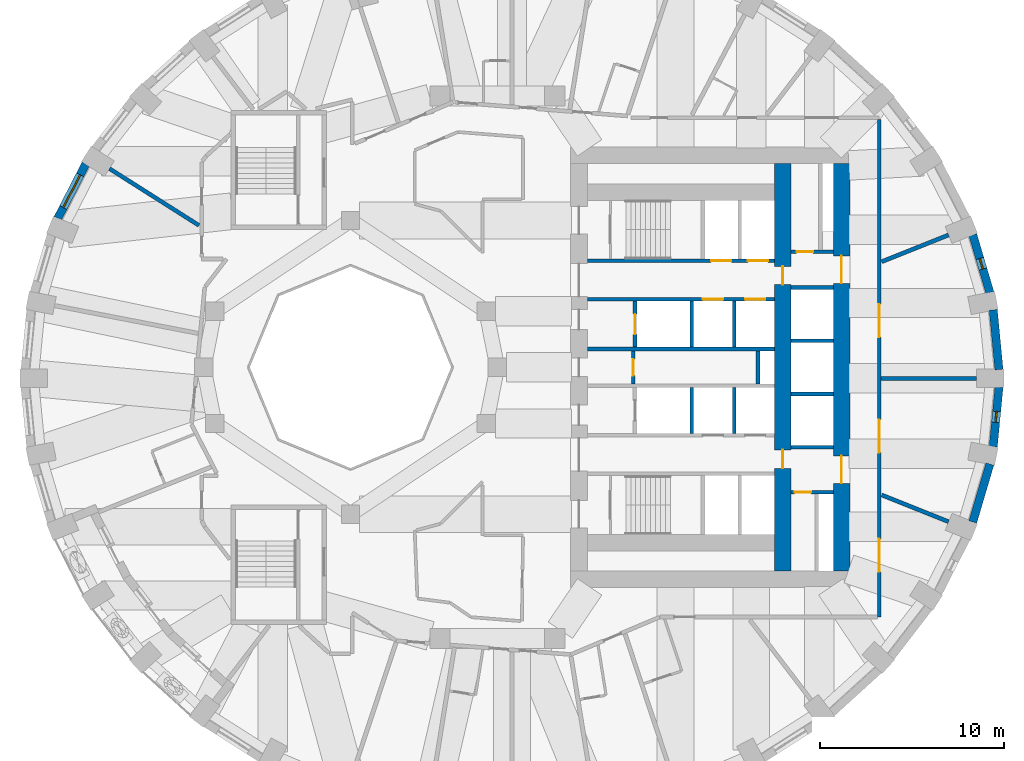
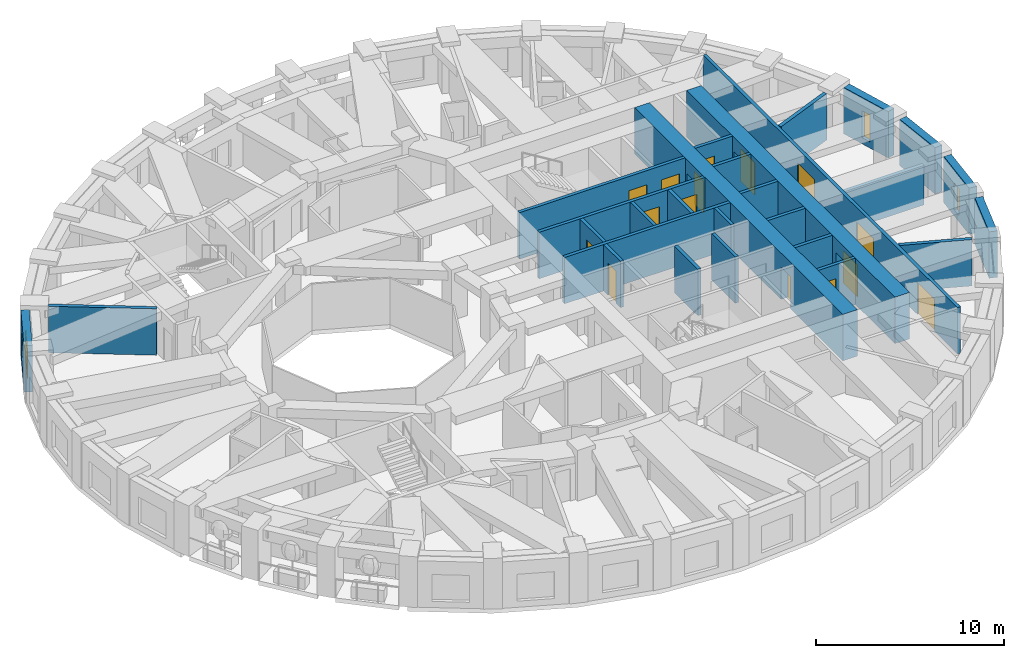
# One storey, part 6 of 12: 28 walls, 15 doors, 3 windows, 18 openings.
"""IFC4 building model written with IfcOpenShell, lengths in metres."""

import ifcopenshell
import ifcopenshell.guid

model = None  # the IFC model being written
_history = None  # IfcOwnerHistory: only IFC2X3 demands one
_inside = {}  # id of a spatial element -> (the spatial element, [elements in it])
_under = {}  # id of a project, library or spatial element -> (it, [spatial elements below it])
_declared = {}  # id of a project -> (the project, [libraries it declares])
_typed = {}  # id of a type object -> (the type object, [elements of that type])
_made_of = {}  # id of a material, layer set ... -> (it, [elements and type objects made of it])


def new_model(schema):
    """Start an empty IFC model of exactly this schema.

    Asked for "IFC4X3", IfcOpenShell would pick the latest addendum, in which some entities
    have other attributes; the version numbers below select the first issue.
    IFC2X3 requires an IfcOwnerHistory on every rooted entity: one is made here for all.
    """
    global model, _history
    if schema == "IFC4X3":
        model = ifcopenshell.file(schema_version=(4, 3, 0, 0))
    else:
        model = ifcopenshell.file(schema=schema)
    _inside.clear()
    _under.clear()
    _declared.clear()
    _typed.clear()
    _made_of.clear()
    _history = None
    if model.schema == "IFC2X3":
        org = make("IfcOrganization", Name="unknown")
        user = make(
            "IfcPersonAndOrganization",
            ThePerson=make("IfcPerson", FamilyName="unknown"),
            TheOrganization=org,
        )
        app = make(
            "IfcApplication",
            ApplicationDeveloper=org,
            Version="unknown",
            ApplicationFullName="unknown",
            ApplicationIdentifier="unknown",
        )
        _history = make(
            "IfcOwnerHistory",
            OwningUser=user,
            OwningApplication=app,
            ChangeAction="ADDED",
            CreationDate=0,
        )
    return model


def make(cls, **values):
    """One entity of the class cls with the attributes given. An attribute that is None is left unset."""
    return model.create_entity(
        cls, **{name: value for name, value in values.items() if value is not None}
    )


def rooted(cls, **values):
    """An entity with a GlobalId (a new one), such as an element, a storey or a relation."""
    return make(cls, GlobalId=ifcopenshell.guid.new(), OwnerHistory=_history, **values)


def si_unit(unit_type, name, prefix=None):
    """IfcSIUnit, for example si_unit("LENGTHUNIT", "METRE", prefix="MILLI")."""
    return make("IfcSIUnit", UnitType=unit_type, Prefix=prefix, Name=name)


def assignment(units):
    """IfcUnitAssignment: the units of a project."""
    return None if units is None else make("IfcUnitAssignment", Units=units)


def point(xyz):
    """IfcCartesianPoint."""
    return None if xyz is None else make("IfcCartesianPoint", Coordinates=xyz)


def direction(xyz):
    """IfcDirection."""
    return None if xyz is None else make("IfcDirection", DirectionRatios=xyz)


def frame(location, z_axis=None, x_axis=None):
    """IfcAxis2Placement3D, a coordinate frame: its origin and axes. An axis left out is left unset."""
    return make(
        "IfcAxis2Placement3D",
        Location=point(location),
        Axis=direction(z_axis),
        RefDirection=direction(x_axis),
    )


def frame_2d(location, x_axis=None):
    """IfcAxis2Placement2D, a coordinate frame in the plane: its origin and x axis."""
    return make(
        "IfcAxis2Placement2D", Location=point(location), RefDirection=direction(x_axis)
    )


def origin():
    """The frame at (0, 0, 0) with its axes left unset."""
    return frame((0.0, 0.0, 0.0))


def place(relative_to, where):
    """IfcLocalPlacement: puts the frame where relative to a parent placement (None: the world)."""
    return make(
        "IfcLocalPlacement", PlacementRelTo=relative_to, RelativePlacement=where
    )


def context(
    kind, dimensions, precision=None, world=None, true_north=None, identifier=None
):
    """IfcGeometricRepresentationContext, for example the 3D "Model" context."""
    return make(
        "IfcGeometricRepresentationContext",
        ContextIdentifier=identifier,
        ContextType=kind,
        CoordinateSpaceDimension=dimensions,
        Precision=precision,
        WorldCoordinateSystem=world,
        TrueNorth=true_north,
    )


def subcontext(parent, identifier, kind, view, scale=None):
    """IfcGeometricRepresentationSubContext, for example "Body" below "Model"."""
    return make(
        "IfcGeometricRepresentationSubContext",
        ContextIdentifier=identifier,
        ContextType=kind,
        ParentContext=parent,
        TargetScale=scale,
        TargetView=view,
    )


def project(units=None, contexts=None):
    """IfcProject with its units and contexts."""
    return rooted(
        "IfcProject",
        Name="project",
        RepresentationContexts=contexts,
        UnitsInContext=assignment(units),
    )


def spatial(cls, under=None, at=None, **own):
    """A site, building, storey or space (cls), placed at a placement, below another one or the project."""
    s = rooted(cls, ObjectPlacement=at, **own)
    if under is not None:
        _under.setdefault(under.id(), (under, []))[1].append(s)
    return s


def profile(cls, at=None, kind="AREA", **sizes):
    """A parametric profile (cls). Its sizes go by their IFC names, for example OverallWidth=200.0."""
    return make(cls, ProfileType=kind, Position=at, **sizes)


def rectangle(**sizes):
    """IfcRectangleProfileDef."""
    return profile("IfcRectangleProfileDef", **sizes)


def extrude(swept, where, along, depth):
    """IfcExtrudedAreaSolid: the profile swept, set in the frame where, extruded along a direction by depth."""
    return make(
        "IfcExtrudedAreaSolid",
        SweptArea=swept,
        Position=where,
        ExtrudedDirection=direction(along),
        Depth=depth,
    )


def shape(context_of_items, identifier, shape_type, items):
    """IfcShapeRepresentation: the items that make up one representation, for example the "Body"."""
    return make(
        "IfcShapeRepresentation",
        ContextOfItems=context_of_items,
        RepresentationIdentifier=identifier,
        RepresentationType=shape_type,
        Items=items,
    )


def material(Name=None, Category=None):
    """IfcMaterial."""
    return make("IfcMaterial", Name=Name, Category=Category)


def layer(
    of_material, thickness, ventilated=None, Name=None, Category=None, Priority=None
):
    """IfcMaterialLayer: one layer of a wall or slab, of a material (None: an air gap)."""
    return make(
        "IfcMaterialLayer",
        Material=of_material,
        LayerThickness=thickness,
        IsVentilated=ventilated,
        Name=Name,
        Category=Category,
        Priority=Priority,
    )


def layer_set(layers, Name=None):
    """IfcMaterialLayerSet."""
    return make("IfcMaterialLayerSet", MaterialLayers=layers, LayerSetName=Name)


def made_of(thing, what):
    """Note that an element or type object is made of a material, layer set ...; save() writes the relation."""
    if what is not None:
        _made_of.setdefault(what.id(), (what, []))[1].append(thing)
    return thing


def type_object(cls, material=None, **own):
    """A type object (cls), such as IfcWallType, which elements share."""
    return made_of(rooted(cls, **own), material)


def element(
    cls,
    number,
    at=None,
    inside=None,
    cuts=None,
    type_object=None,
    material=None,
    context=None,
    identifier="Body",
    shape_type=None,
    held_by="IfcProductDefinitionShape",
    body=None,
    shapes=None,
    **own,
):
    """One element of the class cls, such as IfcWall. Its Tag is "e" and its number.

    at: its placement. inside: the storey or other place that contains it. cuts: it is an
    opening in that element (IfcRelVoidsElement). A single representation is given by context,
    identifier, shape_type and body (its items); several are given by shapes. held_by: the class
    of the entity that holds the representations. save() writes the other relations.
    """
    e = rooted(cls, Tag="e%d" % number, ObjectPlacement=at, **own)
    if body is not None:
        shapes = [shape(context, identifier, shape_type, body)]
    if shapes is not None:
        e.Representation = make(held_by, Representations=shapes)
    if inside is not None:
        _inside.setdefault(inside.id(), (inside, []))[1].append(e)
    if cuts is not None:
        rooted(
            "IfcRelVoidsElement", RelatingBuildingElement=cuts, RelatedOpeningElement=e
        )
    if type_object is not None:
        _typed.setdefault(type_object.id(), (type_object, []))[1].append(e)
    return made_of(e, material)


def fill(opening, filler):
    """IfcRelFillsElement: the door or window that sits in an opening."""
    return rooted(
        "IfcRelFillsElement",
        RelatingOpeningElement=opening,
        RelatedBuildingElement=filler,
    )


def aggregate(whole, parts):
    """IfcRelAggregates: a whole, such as a stair, and the parts it consists of."""
    return rooted("IfcRelAggregates", RelatingObject=whole, RelatedObjects=parts)


def save(model, path):
    """Write the relations noted so far, then the file.

    IfcRelAggregates (storeys below a building ...), IfcRelContainedInSpatialStructure (elements
    in a storey), IfcRelDefinesByType, IfcRelAssociatesMaterial and IfcRelDeclares: one each for
    every whole, place, type object, material and project.
    """
    for whole, parts in _under.values():
        aggregate(whole, parts)
    for where, things in _inside.values():
        rooted(
            "IfcRelContainedInSpatialStructure",
            RelatedElements=things,
            RelatingStructure=where,
        )
    for kind, things in _typed.values():
        rooted("IfcRelDefinesByType", RelatedObjects=things, RelatingType=kind)
    for what, things in _made_of.values():
        rooted("IfcRelAssociatesMaterial", RelatedObjects=things, RelatingMaterial=what)
    for by, libraries in _declared.values():
        rooted("IfcRelDeclares", RelatingContext=by, RelatedDefinitions=libraries)
    model.write(path)


model = new_model("IFC4")

# Units and contexts
model_context = context("Model", 3, precision=1e-05, world=origin(), true_north=direction((0.0, 1.0)))
body_context = subcontext(model_context, "Body", "Model", "MODEL_VIEW")
ifc_project = project(units=[si_unit("LENGTHUNIT", "METRE"), si_unit("AREAUNIT", "SQUARE_METRE"), si_unit("VOLUMEUNIT", "CUBIC_METRE"), si_unit("PLANEANGLEUNIT", "RADIAN"), si_unit("MASSUNIT", "GRAM", prefix="KILO")], contexts=[model_context])

# Site, building, storey
site_placement = place(None, origin())
site = spatial("IfcSite", under=ifc_project, at=site_placement, CompositionType="ELEMENT")
building_placement = place(site_placement, origin())
building = spatial("IfcBuilding", under=site, at=building_placement, Name="Taillehof Tower", CompositionType="ELEMENT")
storey_placement = place(building_placement, frame((0.0, 0.0, 128.5)))
storey = spatial("IfcBuildingStorey", under=building, at=storey_placement, Name="L36", CompositionType="ELEMENT", Elevation=128.5)

# Wall
ifc_material_1 = material(Name="Brick masonry", Category="masonry")
ifc_layer_1 = layer(ifc_material_1, 0.449951171875)
ifc_layer_set_1 = layer_set([ifc_layer_1], Name="Brick infill wall 450")
wall_type_1 = type_object("IfcWallType", Name="Brick infill wall 450", PredefinedType="SOLIDWALL", material=ifc_layer_set_1)
wall_1_placement = place(storey_placement, frame((27.32763671875, -0.119873046875, 0.0), z_axis=(0.0, 0.0, 1.0), x_axis=(-0.09589355735, 0.995391594127, 0.0)))
element("IfcWall", 1, at=wall_1_placement, inside=storey, type_object=wall_type_1, Name="Brick wall L36 bay 1", PredefinedType="SOLIDWALL", context=body_context, shape_type="SweptSolid", body=[
    extrude(rectangle(XDim=3.261474609375, YDim=0.449951171875, at=frame_2d((1.630859375, 0.0))), origin(), (0.0, 0.0, 1.0), 3.02001953125),
])

# Wall, opening, window
wall_2_placement = place(storey_placement, frame((26.83203125, 4.069091796875, 0.0), z_axis=(0.0, 0.0, 1.0), x_axis=(-0.283002902729, 0.959119052593, 0.0)))
wall_2 = element("IfcWall", 2, at=wall_2_placement, inside=storey, type_object=wall_type_1, Name="Brick wall L36 bay 2", PredefinedType="SOLIDWALL", context=body_context, shape_type="SweptSolid", body=[
    extrude(rectangle(XDim=3.285888671875, YDim=0.449951171875, at=frame_2d((1.64306640625, 0.0))), origin(), (0.0, 0.0, 1.0), 3.02001953125),
])
opening_1_placement = place(wall_2_placement, frame((1.343017578125, 0.0, 0.39990234375)))
opening_1 = element("IfcOpeningElement", 3, at=opening_1_placement, cuts=wall_2, Name="Opening W6", PredefinedType="OPENING", context=body_context, shape_type="SweptSolid", body=[
    extrude(rectangle(XDim=0.60009765625, YDim=1.75, at=frame_2d((0.300048828125, 0.875))), frame((0.0, 0.23486328125, 0.0), z_axis=(0.0, -1.0, 0.0), x_axis=(1.0, 0.0, 0.0)), (0.0, 0.0, 1.0), 0.469970703125),
])
ifc_material_2 = material(Name="Aluminium window frame with clear double glazing", Category="aluminium")
window_type_1 = type_object("IfcWindowType", Name="Slot window 600x1750", PartitioningType="SINGLE_PANEL", PredefinedType="WINDOW", material=ifc_material_2)
window_1_placement = place(opening_1_placement, origin())
window_1 = element("IfcWindow", 4, at=window_1_placement, inside=storey, type_object=window_type_1, Name="W6", OverallHeight=1.75, OverallWidth=0.60009765625, PartitioningType="SINGLE_PANEL", PredefinedType="WINDOW", context=body_context, shape_type="SweptSolid", body=[
    extrude(rectangle(XDim=0.60009765625, YDim=1.75, at=frame_2d((0.300048828125, 0.875))), frame((0.0, 0.034912109375, 0.0), z_axis=(0.0, -1.0, 0.0), x_axis=(1.0, 0.0, 0.0)), (0.0, 0.0, 1.0), 0.06005859375),
])
fill(opening_1, window_1)

wall_3_placement = place(storey_placement, frame((-22.4228515625, 11.076904296875, 0.0), z_axis=(0.0, 0.0, 1.0), x_axis=(-0.456828186229, -0.889554949549, 0.0)))
wall_3 = element("IfcWall", 5, at=wall_3_placement, inside=storey, type_object=wall_type_1, Name="Brick wall L36 bay 16", PredefinedType="SOLIDWALL", context=body_context, shape_type="SweptSolid", body=[
    extrude(rectangle(XDim=3.332763671875, YDim=0.449951171875, at=frame_2d((1.66650390625, 0.0))), origin(), (0.0, 0.0, 1.0), 3.02001953125),
])
opening_2_placement = place(wall_3_placement, frame((0.666259765625, 0.0, 0.39990234375)))
opening_2 = element("IfcOpeningElement", 6, at=opening_2_placement, cuts=wall_3, Name="Opening W2", PredefinedType="OPENING", context=body_context, shape_type="SweptSolid", body=[
    extrude(rectangle(XDim=2.0, YDim=1.75, at=frame_2d((1.0, 0.875))), frame((0.0, 0.23486328125, 0.0), z_axis=(0.0, -1.0, 0.0), x_axis=(1.0, 0.0, 0.0)), (0.0, 0.0, 1.0), 0.469970703125),
])
ifc_material_3 = material(Name="Aluminium window frame with clear double glazing", Category="aluminium")
window_type_2 = type_object("IfcWindowType", Name="Deep-set window 2000x1750", PartitioningType="SINGLE_PANEL", PredefinedType="WINDOW", material=ifc_material_3)
window_2_placement = place(opening_2_placement, origin())
window_2 = element("IfcWindow", 7, at=window_2_placement, inside=storey, type_object=window_type_2, Name="W2", OverallHeight=1.75, OverallWidth=2.0, PartitioningType="SINGLE_PANEL", PredefinedType="WINDOW", context=body_context, shape_type="SweptSolid", body=[
    extrude(rectangle(XDim=2.0, YDim=1.75, at=frame_2d((1.0, 0.875))), frame((0.0, 0.034912109375, 0.0), z_axis=(0.0, -1.0, 0.0), x_axis=(1.0, 0.0, 0.0)), (0.0, 0.0, 1.0), 0.06005859375),
])
fill(opening_2, window_2)

# Wall
wall_4_placement = place(storey_placement, frame((25.902099609375, -8.4208984375, 0.0), z_axis=(0.0, 0.0, 1.0), x_axis=(0.282982737009, 0.95912500257, 0.0)))
element("IfcWall", 8, at=wall_4_placement, inside=storey, type_object=wall_type_1, Name="Brick wall L36 bay 35", PredefinedType="SOLIDWALL", context=body_context, shape_type="SweptSolid", body=[
    extrude(rectangle(XDim=3.2861328125, YDim=0.449951171875, at=frame_2d((1.64306640625, 0.0))), origin(), (0.0, 0.0, 1.0), 3.02001953125),
])

# Wall, opening, window
wall_5_placement = place(storey_placement, frame((27.014892578125, -4.326416015625, 0.0), z_axis=(0.0, 0.0, 1.0), x_axis=(0.09589355735, 0.995391594127, 0.0)))
wall_5 = element("IfcWall", 9, at=wall_5_placement, inside=storey, type_object=wall_type_1, Name="Brick wall L36 bay 36", PredefinedType="SOLIDWALL", context=body_context, shape_type="SweptSolid", body=[
    extrude(rectangle(XDim=3.261474609375, YDim=0.449951171875, at=frame_2d((1.630859375, 0.0))), origin(), (0.0, 0.0, 1.0), 3.02001953125),
])
opening_3_placement = place(wall_5_placement, frame((1.33056640625, 0.0, 0.39990234375)))
opening_3 = element("IfcOpeningElement", 10, at=opening_3_placement, cuts=wall_5, Name="Opening W6", PredefinedType="OPENING", context=body_context, shape_type="SweptSolid", body=[
    extrude(rectangle(XDim=0.60009765625, YDim=1.75, at=frame_2d((0.300048828125, 0.875))), frame((0.0, 0.23486328125, 0.0), z_axis=(0.0, -1.0, 0.0), x_axis=(1.0, 0.0, 0.0)), (0.0, 0.0, 1.0), 0.469970703125),
])
window_3_placement = place(opening_3_placement, origin())
window_3 = element("IfcWindow", 11, at=window_3_placement, inside=storey, type_object=window_type_1, Name="W6", OverallHeight=1.75, OverallWidth=0.60009765625, PartitioningType="SINGLE_PANEL", PredefinedType="WINDOW", context=body_context, shape_type="SweptSolid", body=[
    extrude(rectangle(XDim=0.60009765625, YDim=1.75, at=frame_2d((0.300048828125, 0.875))), frame((0.0, 0.034912109375, 0.0), z_axis=(0.0, -1.0, 0.0), x_axis=(1.0, 0.0, 0.0)), (0.0, 0.0, 1.0), 0.06005859375),
])
fill(opening_3, window_3)

# Wall, opening, door
ifc_material_4 = material(Name="Calcium silicate masonry", Category="masonry")
ifc_layer_2 = layer(ifc_material_4, 0.199951171875)
ifc_layer_set_2 = layer_set([ifc_layer_2], Name="Compartment wall calcium silicate 200")
wall_type_2 = type_object("IfcWallType", Name="Compartment wall calcium silicate 200", PredefinedType="PARTITIONING", material=ifc_layer_set_2)
wall_6_placement = place(storey_placement, frame((7.39990234375, -0.89990234375, 0.0), z_axis=(0.0, 0.0, 1.0), x_axis=(0.0, 1.0, 0.0)))
wall_6 = element("IfcWall", 12, at=wall_6_placement, inside=storey, type_object=wall_type_2, Name="Compartment wall FW", PredefinedType="PARTITIONING", context=body_context, shape_type="SweptSolid", body=[
    extrude(rectangle(XDim=1.7998046875, YDim=0.199951171875, at=frame_2d((0.89990234375, 0.0))), origin(), (0.0, 0.0, 1.0), 3.02001953125),
])
opening_4_placement = place(wall_6_placement, frame((0.449951171875, 0.0, 0.0)))
opening_4 = element("IfcOpeningElement", 13, at=opening_4_placement, cuts=wall_6, Name="Opening D3614", PredefinedType="OPENING", context=body_context, shape_type="SweptSolid", body=[
    extrude(rectangle(XDim=0.89990234375, YDim=2.10009765625, at=frame_2d((0.449951171875, 1.050048828125))), frame((0.0, 0.10986328125, 0.0), z_axis=(0.0, -1.0, 0.0), x_axis=(1.0, 0.0, 0.0)), (0.0, 0.0, 1.0), 0.219970703125),
])
ifc_material_5 = material(Name="Steel-faced fire door", Category="steel")
door_type_1 = type_object("IfcDoorType", Name="Riser and service room door 900x2100", OperationType="SINGLE_SWING_LEFT", PredefinedType="DOOR", material=ifc_material_5)
door_1_placement = place(opening_4_placement, origin())
door_1 = element("IfcDoor", 14, at=door_1_placement, inside=storey, type_object=door_type_1, Name="Door Waste Room", OperationType="SINGLE_SWING_RIGHT", OverallHeight=2.10009765625, OverallWidth=0.89990234375, PredefinedType="DOOR", context=body_context, shape_type="SweptSolid", body=[
    extrude(rectangle(XDim=0.89990234375, YDim=2.10009765625, at=frame_2d((0.449951171875, 1.050048828125))), frame((0.0, 0.02490234375, 0.0), z_axis=(0.0, -1.0, 0.0), x_axis=(1.0, 0.0, 0.0)), (0.0, 0.0, 1.0), 0.050048828125),
])
fill(opening_4, door_1)

# Wall
wall_7_placement = place(storey_placement, frame((14.199951171875, -0.89990234375, 0.0), z_axis=(0.0, 0.0, 1.0), x_axis=(0.0, 1.0, 0.0)))
element("IfcWall", 15, at=wall_7_placement, inside=storey, type_object=wall_type_2, Name="Compartment wall FW", PredefinedType="PARTITIONING", context=body_context, shape_type="SweptSolid", body=[
    extrude(rectangle(XDim=1.7998046875, YDim=0.199951171875, at=frame_2d((0.89990234375, 0.0))), origin(), (0.0, 0.0, 1.0), 3.02001953125),
])

# Wall, opening, door
wall_8_placement = place(storey_placement, frame((16.0, 6.300048828125, 0.0), z_axis=(0.0, 0.0, 1.0), x_axis=(1.0, 0.0, 0.0)))
wall_8 = element("IfcWall", 16, at=wall_8_placement, inside=storey, type_object=wall_type_2, Name="Compartment wall FW", PredefinedType="PARTITIONING", context=body_context, shape_type="SweptSolid", body=[
    extrude(rectangle(XDim=2.300048828125, YDim=0.199951171875, at=frame_2d((1.14990234375, 0.0))), origin(), (0.0, 0.0, 1.0), 3.02001953125),
])
opening_5_placement = place(wall_8_placement, frame((0.300048828125, 0.0, 0.0)))
opening_5 = element("IfcOpeningElement", 17, at=opening_5_placement, cuts=wall_8, Name="Opening D3616", PredefinedType="OPENING", context=body_context, shape_type="SweptSolid", body=[
    extrude(rectangle(XDim=0.89990234375, YDim=2.10009765625, at=frame_2d((0.449951171875, 1.050048828125))), frame((0.0, 0.10986328125, 0.0), z_axis=(0.0, -1.0, 0.0), x_axis=(1.0, 0.0, 0.0)), (0.0, 0.0, 1.0), 0.219970703125),
])
door_2_placement = place(opening_5_placement, origin())
door_2 = element("IfcDoor", 18, at=door_2_placement, inside=storey, type_object=door_type_1, Name="Door Comms Room", OperationType="SINGLE_SWING_RIGHT", OverallHeight=2.10009765625, OverallWidth=0.89990234375, PredefinedType="DOOR", context=body_context, shape_type="SweptSolid", body=[
    extrude(rectangle(XDim=0.89990234375, YDim=2.10009765625, at=frame_2d((0.449951171875, 1.050048828125))), frame((0.0, 0.02490234375, 0.0), z_axis=(0.0, -1.0, 0.0), x_axis=(1.0, 0.0, 0.0)), (0.0, 0.0, 1.0), 0.050048828125),
])
fill(opening_5, door_2)

wall_9_placement = place(storey_placement, frame((16.0, -6.800048828125, 0.0), z_axis=(0.0, 0.0, 1.0), x_axis=(1.0, 0.0, 0.0)))
wall_9 = element("IfcWall", 19, at=wall_9_placement, inside=storey, type_object=wall_type_2, Name="Compartment wall FW", PredefinedType="PARTITIONING", context=body_context, shape_type="SweptSolid", body=[
    extrude(rectangle(XDim=2.300048828125, YDim=0.199951171875, at=frame_2d((1.14990234375, 0.0))), origin(), (0.0, 0.0, 1.0), 3.02001953125),
])
opening_6_placement = place(wall_9_placement, frame((0.199951171875, 0.0, 0.0)))
opening_6 = element("IfcOpeningElement", 20, at=opening_6_placement, cuts=wall_9, Name="Opening D3618", PredefinedType="OPENING", context=body_context, shape_type="SweptSolid", body=[
    extrude(rectangle(XDim=0.89990234375, YDim=2.10009765625, at=frame_2d((0.449951171875, 1.050048828125))), frame((0.0, 0.10986328125, 0.0), z_axis=(0.0, -1.0, 0.0), x_axis=(1.0, 0.0, 0.0)), (0.0, 0.0, 1.0), 0.219970703125),
])
door_3_placement = place(opening_6_placement, origin())
door_3 = element("IfcDoor", 21, at=door_3_placement, inside=storey, type_object=door_type_1, Name="Door Waste Room", OperationType="SINGLE_SWING_LEFT", OverallHeight=2.10009765625, OverallWidth=0.89990234375, PredefinedType="DOOR", context=body_context, shape_type="SweptSolid", body=[
    extrude(rectangle(XDim=0.89990234375, YDim=2.10009765625, at=frame_2d((0.449951171875, 1.050048828125))), frame((0.0, 0.02490234375, 0.0), z_axis=(0.0, -1.0, 0.0), x_axis=(1.0, 0.0, 0.0)), (0.0, 0.0, 1.0), 0.050048828125),
])
fill(opening_6, door_3)

# Wall, openings, doors
ifc_material_6 = material(Name="Gypsum board on steel studs, two layers each side", Category="steel")
ifc_layer_3 = layer(ifc_material_6, 0.199951171875)
ifc_layer_set_3 = layer_set([ifc_layer_3], Name="Compartment wall corridor 200")
wall_type_3 = type_object("IfcWallType", Name="Compartment wall corridor 200", PredefinedType="PARTITIONING", material=ifc_layer_set_3)
wall_10_placement = place(storey_placement, frame((20.800048828125, 13.5, 0.0), z_axis=(0.0, 0.0, 1.0), x_axis=(0.0, -1.0, 0.0)))
wall_10 = element("IfcWall", 22, at=wall_10_placement, inside=storey, type_object=wall_type_3, Name="Compartment wall", PredefinedType="PARTITIONING", context=body_context, shape_type="SweptSolid", body=[
    extrude(rectangle(XDim=27.10009765625, YDim=0.199951171875, at=frame_2d((13.550048828125, 0.0))), origin(), (0.0, 0.0, 1.0), 3.02001953125),
])
opening_7_placement = place(wall_10_placement, frame((22.84375, 0.0, 0.0)))
opening_7 = element("IfcOpeningElement", 23, at=opening_7_placement, cuts=wall_10, Name="Opening D3664", PredefinedType="OPENING", context=body_context, shape_type="SweptSolid", body=[
    extrude(rectangle(XDim=1.800048828125, YDim=2.10009765625, at=frame_2d((0.89990234375, 1.050048828125))), frame((0.0, 0.10986328125, 0.0), z_axis=(0.0, -1.0, 0.0), x_axis=(1.0, 0.0, 0.0)), (0.0, 0.0, 1.0), 0.219970703125),
])
opening_8_placement = place(wall_10_placement, frame((16.349609375, 0.0, 0.0)))
opening_8 = element("IfcOpeningElement", 24, at=opening_8_placement, cuts=wall_10, Name="Opening D3665", PredefinedType="OPENING", context=body_context, shape_type="SweptSolid", body=[
    extrude(rectangle(XDim=1.800048828125, YDim=2.10009765625, at=frame_2d((0.89990234375, 1.050048828125))), frame((0.0, 0.10986328125, 0.0), z_axis=(0.0, -1.0, 0.0), x_axis=(1.0, 0.0, 0.0)), (0.0, 0.0, 1.0), 0.219970703125),
])
opening_9_placement = place(wall_10_placement, frame((10.050537109375, 0.0, 0.0)))
opening_9 = element("IfcOpeningElement", 25, at=opening_9_placement, cuts=wall_10, Name="Opening D3666", PredefinedType="OPENING", context=body_context, shape_type="SweptSolid", body=[
    extrude(rectangle(XDim=1.800048828125, YDim=2.10009765625, at=frame_2d((0.89990234375, 1.050048828125))), frame((0.0, 0.10986328125, 0.0), z_axis=(0.0, -1.0, 0.0), x_axis=(1.0, 0.0, 0.0)), (0.0, 0.0, 1.0), 0.219970703125),
])
ifc_material_7 = material(Name="Timber door leaf in steel frame", Category="steel")
door_type_2 = type_object("IfcDoorType", Name="Lounge and meeting room double door EI 30 1800 x 2100", OperationType="SINGLE_SWING_LEFT", PredefinedType="DOOR", material=ifc_material_7)
door_4_placement = place(opening_7_placement, origin())
door_4 = element("IfcDoor", 26, at=door_4_placement, inside=storey, type_object=door_type_2, Name="D3664", OperationType="DOUBLE_DOOR_SINGLE_SWING", OverallHeight=2.10009765625, OverallWidth=1.800048828125, PredefinedType="DOOR", context=body_context, shape_type="SweptSolid", body=[
    extrude(rectangle(XDim=1.800048828125, YDim=2.10009765625, at=frame_2d((0.89990234375, 1.050048828125))), frame((0.0, 0.02490234375, 0.0), z_axis=(0.0, -1.0, 0.0), x_axis=(1.0, 0.0, 0.0)), (0.0, 0.0, 1.0), 0.050048828125),
])
fill(opening_7, door_4)
door_5_placement = place(opening_8_placement, origin())
door_5 = element("IfcDoor", 27, at=door_5_placement, inside=storey, type_object=door_type_2, Name="D3665", OperationType="DOUBLE_DOOR_SINGLE_SWING", OverallHeight=2.10009765625, OverallWidth=1.800048828125, PredefinedType="DOOR", context=body_context, shape_type="SweptSolid", body=[
    extrude(rectangle(XDim=1.800048828125, YDim=2.10009765625, at=frame_2d((0.89990234375, 1.050048828125))), frame((0.0, 0.02490234375, 0.0), z_axis=(0.0, -1.0, 0.0), x_axis=(1.0, 0.0, 0.0)), (0.0, 0.0, 1.0), 0.050048828125),
])
fill(opening_8, door_5)
door_6_placement = place(opening_9_placement, origin())
door_6 = element("IfcDoor", 28, at=door_6_placement, inside=storey, type_object=door_type_2, Name="D3666", OperationType="DOUBLE_DOOR_SINGLE_SWING", OverallHeight=2.10009765625, OverallWidth=1.800048828125, PredefinedType="DOOR", context=body_context, shape_type="SweptSolid", body=[
    extrude(rectangle(XDim=1.800048828125, YDim=2.10009765625, at=frame_2d((0.89990234375, 1.050048828125))), frame((0.0, 0.02490234375, 0.0), z_axis=(0.0, -1.0, 0.0), x_axis=(1.0, 0.0, 0.0)), (0.0, 0.0, 1.0), 0.050048828125),
])
fill(opening_9, door_6)

# Walls
ifc_material_8 = material(Name="Gypsum board on double steel studs with mineral wool", Category="steel")
ifc_layer_4 = layer(ifc_material_8, 0.219970703125)
ifc_layer_set_4 = layer_set([ifc_layer_4], Name="Compartment wall guest room 220")
wall_type_4 = type_object("IfcWallType", Name="Compartment wall guest room 220", PredefinedType="PARTITIONING", material=ifc_layer_set_4)
wall_11_placement = place(storey_placement, frame((26.10009765625, -0.60009765625, 0.0), z_axis=(0.0, 0.0, 1.0), x_axis=(-1.0, 0.0, 0.0)))
element("IfcWall", 29, at=wall_11_placement, inside=storey, type_object=wall_type_4, Name="Compartment wall", PredefinedType="PARTITIONING", context=body_context, shape_type="SweptSolid", body=[
    extrude(rectangle(XDim=5.199951171875, YDim=0.219970703125, at=frame_2d((2.60009765625, 0.0))), origin(), (0.0, 0.0, 1.0), 2.570068359375),
])
wall_12_placement = place(storey_placement, frame((24.58251953125, 7.21044921875, 0.0), z_axis=(0.0, 0.0, 1.0), x_axis=(-0.928528147853, -0.371262008083, 0.0)))
element("IfcWall", 30, at=wall_12_placement, inside=storey, type_object=wall_type_4, Name="Compartment wall", PredefinedType="PARTITIONING", context=body_context, shape_type="SweptSolid", body=[
    extrude(rectangle(XDim=3.92578125, YDim=0.219970703125, at=frame_2d((1.962890625, 0.0))), origin(), (0.0, 0.0, 1.0), 3.02001953125),
])
wall_13_placement = place(storey_placement, frame((-21.12646484375, 10.8232421875, 0.0), z_axis=(0.0, 0.0, 1.0), x_axis=(0.844518840625, -0.535525842355, 0.0)))
element("IfcWall", 31, at=wall_13_placement, inside=storey, type_object=wall_type_4, Name="Compartment wall", PredefinedType="PARTITIONING", context=body_context, shape_type="SweptSolid", body=[
    extrude(rectangle(XDim=5.7734375, YDim=0.219970703125, at=frame_2d((2.88671875, 0.0))), origin(), (0.0, 0.0, 1.0), 3.02001953125),
])
wall_14_placement = place(storey_placement, frame((24.58251953125, -8.410400390625, 0.0), z_axis=(0.0, 0.0, 1.0), x_axis=(-0.928528147853, 0.371262008083, 0.0)))
element("IfcWall", 32, at=wall_14_placement, inside=storey, type_object=wall_type_4, Name="Compartment wall", PredefinedType="PARTITIONING", context=body_context, shape_type="SweptSolid", body=[
    extrude(rectangle(XDim=3.92578125, YDim=0.219970703125, at=frame_2d((1.962890625, 0.0))), origin(), (0.0, 0.0, 1.0), 3.02001953125),
])

# Wall, openings, doors
ifc_material_9 = material(Name="Concrete C80/95", Category="concrete")
ifc_layer_5 = layer(ifc_material_9, 0.89990234375)
ifc_layer_set_5 = layer_set([ifc_layer_5], Name="Core wall C80/95 900")
wall_type_5 = type_object("IfcWallType", Name="Core wall C80/95 900", PredefinedType="SHEAR", material=ifc_layer_set_5)
wall_15_placement = place(storey_placement, frame((18.75, -11.10009765625, 0.0), z_axis=(0.0, 0.0, 1.0), x_axis=(0.0, 1.0, 0.0)))
wall_15 = element("IfcWall", 33, at=wall_15_placement, inside=storey, type_object=wall_type_5, Name="Core wall CW02", PredefinedType="SHEAR", context=body_context, shape_type="SweptSolid", body=[
    extrude(rectangle(XDim=22.2001953125, YDim=0.89990234375, at=frame_2d((11.10009765625, 0.0))), origin(), (0.0, 0.0, 1.0), 3.02001953125),
])
opening_10_placement = place(wall_15_placement, frame((15.675048828125, 0.0, 0.0)))
opening_10 = element("IfcOpeningElement", 34, at=opening_10_placement, cuts=wall_15, Name="Opening D3608", PredefinedType="OPENING", context=body_context, shape_type="SweptSolid", body=[
    extrude(rectangle(XDim=1.5, YDim=2.10009765625, at=frame_2d((0.75, 1.050048828125))), frame((0.0, 0.4599609375, 0.0), z_axis=(0.0, -1.0, 0.0), x_axis=(1.0, 0.0, 0.0)), (0.0, 0.0, 1.0), 0.919921875),
])
opening_11_placement = place(wall_15_placement, frame((4.77490234375, 0.0, 0.0)))
opening_11 = element("IfcOpeningElement", 35, at=opening_11_placement, cuts=wall_15, Name="Opening D3609", PredefinedType="OPENING", context=body_context, shape_type="SweptSolid", body=[
    extrude(rectangle(XDim=1.5, YDim=2.10009765625, at=frame_2d((0.75, 1.050048828125))), frame((0.0, 0.4599609375, 0.0), z_axis=(0.0, -1.0, 0.0), x_axis=(1.0, 0.0, 0.0)), (0.0, 0.0, 1.0), 0.919921875),
])
ifc_material_10 = material(Name="Steel-faced fire door", Category="steel")
door_type_3 = type_object("IfcDoorType", Name="Lift lobby east door 1500x2100", OperationType="DOUBLE_DOOR_SINGLE_SWING", PredefinedType="DOOR", material=ifc_material_10)
door_7_placement = place(opening_10_placement, origin())
door_7 = element("IfcDoor", 36, at=door_7_placement, inside=storey, type_object=door_type_3, Name="Lift lobby east door north", OperationType="DOUBLE_DOOR_SINGLE_SWING", OverallHeight=2.10009765625, OverallWidth=1.5, PredefinedType="DOOR", context=body_context, shape_type="SweptSolid", body=[
    extrude(rectangle(XDim=1.5, YDim=2.10009765625, at=frame_2d((0.75, 1.050048828125))), frame((0.0, 0.02490234375, 0.0), z_axis=(0.0, -1.0, 0.0), x_axis=(1.0, 0.0, 0.0)), (0.0, 0.0, 1.0), 0.050048828125),
])
fill(opening_10, door_7)
door_8_placement = place(opening_11_placement, origin())
door_8 = element("IfcDoor", 37, at=door_8_placement, inside=storey, type_object=door_type_3, Name="Lift lobby east door south", OperationType="DOUBLE_DOOR_SINGLE_SWING", OverallHeight=2.10009765625, OverallWidth=1.5, PredefinedType="DOOR", context=body_context, shape_type="SweptSolid", body=[
    extrude(rectangle(XDim=1.5, YDim=2.10009765625, at=frame_2d((0.75, 1.050048828125))), frame((0.0, 0.02490234375, 0.0), z_axis=(0.0, -1.0, 0.0), x_axis=(1.0, 0.0, 0.0)), (0.0, 0.0, 1.0), 0.050048828125),
])
fill(opening_11, door_8)

wall_16_placement = place(storey_placement, frame((15.550048828125, -11.10009765625, 0.0), z_axis=(0.0, 0.0, 1.0), x_axis=(0.0, 1.0, 0.0)))
wall_16 = element("IfcWall", 38, at=wall_16_placement, inside=storey, type_object=wall_type_5, Name="Core wall CW05", PredefinedType="SHEAR", context=body_context, shape_type="SweptSolid", body=[
    extrude(rectangle(XDim=22.2001953125, YDim=0.89990234375, at=frame_2d((11.10009765625, 0.0))), origin(), (0.0, 0.0, 1.0), 3.02001953125),
])
opening_12_placement = place(wall_16_placement, frame((15.60009765625, 0.0, 0.0)))
opening_12 = element("IfcOpeningElement", 39, at=opening_12_placement, cuts=wall_16, Name="Opening D3615", PredefinedType="OPENING", context=body_context, shape_type="SweptSolid", body=[
    extrude(rectangle(XDim=1.0, YDim=2.10009765625, at=frame_2d((0.5, 1.050048828125))), frame((0.0, 0.4599609375, 0.0), z_axis=(0.0, -1.0, 0.0), x_axis=(1.0, 0.0, 0.0)), (0.0, 0.0, 1.0), 0.919921875),
])
opening_13_placement = place(wall_16_placement, frame((5.60009765625, 0.0, 0.0)))
opening_13 = element("IfcOpeningElement", 40, at=opening_13_placement, cuts=wall_16, Name="Opening D3617", PredefinedType="OPENING", context=body_context, shape_type="SweptSolid", body=[
    extrude(rectangle(XDim=1.0, YDim=2.10009765625, at=frame_2d((0.5, 1.050048828125))), frame((0.0, 0.4599609375, 0.0), z_axis=(0.0, -1.0, 0.0), x_axis=(1.0, 0.0, 0.0)), (0.0, 0.0, 1.0), 0.919921875),
])
ifc_material_11 = material(Name="Steel-faced fire door", Category="steel")
door_type_4 = type_object("IfcDoorType", Name="Service door 1000x2100", OperationType="SINGLE_SWING_RIGHT", PredefinedType="DOOR", material=ifc_material_11)
door_9_placement = place(opening_12_placement, origin())
door_9 = element("IfcDoor", 41, at=door_9_placement, inside=storey, type_object=door_type_4, Name="Service door strip", OperationType="SINGLE_SWING_RIGHT", OverallHeight=2.10009765625, OverallWidth=1.0, PredefinedType="DOOR", context=body_context, shape_type="SweptSolid", body=[
    extrude(rectangle(XDim=1.0, YDim=2.10009765625, at=frame_2d((0.5, 1.050048828125))), frame((0.0, 0.02490234375, 0.0), z_axis=(0.0, -1.0, 0.0), x_axis=(1.0, 0.0, 0.0)), (0.0, 0.0, 1.0), 0.050048828125),
])
fill(opening_12, door_9)
door_10_placement = place(opening_13_placement, origin())
door_10 = element("IfcDoor", 42, at=door_10_placement, inside=storey, type_object=door_type_4, Name="Service door strip", OperationType="SINGLE_SWING_LEFT", OverallHeight=2.10009765625, OverallWidth=1.0, PredefinedType="DOOR", context=body_context, shape_type="SweptSolid", body=[
    extrude(rectangle(XDim=1.0, YDim=2.10009765625, at=frame_2d((0.5, 1.050048828125))), frame((0.0, 0.02490234375, 0.0), z_axis=(0.0, -1.0, 0.0), x_axis=(1.0, 0.0, 0.0)), (0.0, 0.0, 1.0), 0.050048828125),
])
fill(opening_13, door_10)

ifc_material_12 = material(Name="Concrete C50/60", Category="concrete")
ifc_layer_6 = layer(ifc_material_12, 0.199951171875)
ifc_layer_set_6 = layer_set([ifc_layer_6], Name="Shaft wall C50/60 200")
wall_type_6 = type_object("IfcWallType", Name="Shaft wall C50/60 200", PredefinedType="SHEAR", material=ifc_layer_set_6)
wall_17_placement = place(storey_placement, frame((4.89990234375, 5.800048828125, 0.0), z_axis=(0.0, 0.0, 1.0), x_axis=(1.0, 0.0, 0.0)))
wall_17 = element("IfcWall", 43, at=wall_17_placement, inside=storey, type_object=wall_type_6, Name="Shaft wall SW", PredefinedType="SHEAR", context=body_context, shape_type="SweptSolid", body=[
    extrude(rectangle(XDim=10.2001953125, YDim=0.199951171875, at=frame_2d((5.10009765625, 0.0))), origin(), (0.0, 0.0, 1.0), 3.02001953125),
])
opening_14_placement = place(wall_17_placement, frame((6.75, 0.0, 0.0)))
opening_14 = element("IfcOpeningElement", 44, at=opening_14_placement, cuts=wall_17, Name="Opening LD1", PredefinedType="OPENING", context=body_context, shape_type="SweptSolid", body=[
    extrude(rectangle(XDim=1.10009765625, YDim=2.10009765625, at=frame_2d((0.550048828125, 1.050048828125))), frame((0.0, 0.10986328125, 0.0), z_axis=(0.0, -1.0, 0.0), x_axis=(1.0, 0.0, 0.0)), (0.0, 0.0, 1.0), 0.219970703125),
])
opening_15_placement = place(wall_17_placement, frame((8.75, 0.0, 0.0)))
opening_15 = element("IfcOpeningElement", 45, at=opening_15_placement, cuts=wall_17, Name="Opening LD1", PredefinedType="OPENING", context=body_context, shape_type="SweptSolid", body=[
    extrude(rectangle(XDim=1.10009765625, YDim=2.10009765625, at=frame_2d((0.550048828125, 1.050048828125))), frame((0.0, 0.10986328125, 0.0), z_axis=(0.0, -1.0, 0.0), x_axis=(1.0, 0.0, 0.0)), (0.0, 0.0, 1.0), 0.219970703125),
])
ifc_material_13 = material(Name="Stainless steel", Category="steel")
door_type_5 = type_object("IfcDoorType", Name="Lift landing door LD1 1100x2100", OperationType="DOUBLE_DOOR_SLIDING", PredefinedType="DOOR", material=ifc_material_13)
door_11_placement = place(opening_14_placement, origin())
door_11 = element("IfcDoor", 46, at=door_11_placement, inside=storey, type_object=door_type_5, Name="Landing door LR1", OperationType="DOUBLE_DOOR_SLIDING", OverallHeight=2.10009765625, OverallWidth=1.10009765625, PredefinedType="DOOR", context=body_context, shape_type="SweptSolid", body=[
    extrude(rectangle(XDim=1.10009765625, YDim=2.10009765625, at=frame_2d((0.550048828125, 1.050048828125))), frame((0.0, 0.02490234375, 0.0), z_axis=(0.0, -1.0, 0.0), x_axis=(1.0, 0.0, 0.0)), (0.0, 0.0, 1.0), 0.050048828125),
])
fill(opening_14, door_11)
door_12_placement = place(opening_15_placement, origin())
door_12 = element("IfcDoor", 47, at=door_12_placement, inside=storey, type_object=door_type_5, Name="Landing door LR2", OperationType="DOUBLE_DOOR_SLIDING", OverallHeight=2.10009765625, OverallWidth=1.10009765625, PredefinedType="DOOR", context=body_context, shape_type="SweptSolid", body=[
    extrude(rectangle(XDim=1.10009765625, YDim=2.10009765625, at=frame_2d((0.550048828125, 1.050048828125))), frame((0.0, 0.02490234375, 0.0), z_axis=(0.0, -1.0, 0.0), x_axis=(1.0, 0.0, 0.0)), (0.0, 0.0, 1.0), 0.050048828125),
])
fill(opening_15, door_12)

wall_18_placement = place(storey_placement, frame((4.89990234375, 3.699951171875, 0.0), z_axis=(0.0, 0.0, 1.0), x_axis=(1.0, 0.0, 0.0)))
wall_18 = element("IfcWall", 48, at=wall_18_placement, inside=storey, type_object=wall_type_6, Name="Shaft wall SW", PredefinedType="SHEAR", context=body_context, shape_type="SweptSolid", body=[
    extrude(rectangle(XDim=10.2001953125, YDim=0.199951171875, at=frame_2d((5.10009765625, 0.0))), origin(), (0.0, 0.0, 1.0), 3.02001953125),
])
opening_16_placement = place(wall_18_placement, frame((6.300048828125, 0.0, 0.0)))
opening_16 = element("IfcOpeningElement", 49, at=opening_16_placement, cuts=wall_18, Name="Opening LD1", PredefinedType="OPENING", context=body_context, shape_type="SweptSolid", body=[
    extrude(rectangle(XDim=1.10009765625, YDim=2.10009765625, at=frame_2d((0.550048828125, 1.050048828125))), frame((0.0, 0.10986328125, 0.0), z_axis=(0.0, -1.0, 0.0), x_axis=(1.0, 0.0, 0.0)), (0.0, 0.0, 1.0), 0.219970703125),
])
opening_17_placement = place(wall_18_placement, frame((8.60009765625, 0.0, 0.0)))
opening_17 = element("IfcOpeningElement", 50, at=opening_17_placement, cuts=wall_18, Name="Opening LD1", PredefinedType="OPENING", context=body_context, shape_type="SweptSolid", body=[
    extrude(rectangle(XDim=1.10009765625, YDim=2.10009765625, at=frame_2d((0.550048828125, 1.050048828125))), frame((0.0, 0.10986328125, 0.0), z_axis=(0.0, -1.0, 0.0), x_axis=(1.0, 0.0, 0.0)), (0.0, 0.0, 1.0), 0.219970703125),
])
door_13_placement = place(opening_16_placement, origin())
door_13 = element("IfcDoor", 51, at=door_13_placement, inside=storey, type_object=door_type_5, Name="Landing door LR3", OperationType="DOUBLE_DOOR_SLIDING", OverallHeight=2.10009765625, OverallWidth=1.10009765625, PredefinedType="DOOR", context=body_context, shape_type="SweptSolid", body=[
    extrude(rectangle(XDim=1.10009765625, YDim=2.10009765625, at=frame_2d((0.550048828125, 1.050048828125))), frame((0.0, 0.02490234375, 0.0), z_axis=(0.0, -1.0, 0.0), x_axis=(1.0, 0.0, 0.0)), (0.0, 0.0, 1.0), 0.050048828125),
])
fill(opening_16, door_13)
door_14_placement = place(opening_17_placement, origin())
door_14 = element("IfcDoor", 52, at=door_14_placement, inside=storey, type_object=door_type_5, Name="Landing door LR4", OperationType="DOUBLE_DOOR_SLIDING", OverallHeight=2.10009765625, OverallWidth=1.10009765625, PredefinedType="DOOR", context=body_context, shape_type="SweptSolid", body=[
    extrude(rectangle(XDim=1.10009765625, YDim=2.10009765625, at=frame_2d((0.550048828125, 1.050048828125))), frame((0.0, 0.02490234375, 0.0), z_axis=(0.0, -1.0, 0.0), x_axis=(1.0, 0.0, 0.0)), (0.0, 0.0, 1.0), 0.050048828125),
])
fill(opening_17, door_14)

# Wall
wall_19_placement = place(storey_placement, frame((4.89990234375, 1.0, 0.0), z_axis=(0.0, 0.0, 1.0), x_axis=(1.0, 0.0, 0.0)))
element("IfcWall", 53, at=wall_19_placement, inside=storey, type_object=wall_type_6, Name="Shaft wall SW", PredefinedType="SHEAR", context=body_context, shape_type="SweptSolid", body=[
    extrude(rectangle(XDim=10.2001953125, YDim=0.199951171875, at=frame_2d((5.10009765625, 0.0))), origin(), (0.0, 0.0, 1.0), 3.02001953125),
])

# Wall, opening, door
wall_20_placement = place(storey_placement, frame((7.5, 1.10009765625, 0.0), z_axis=(0.0, 0.0, 1.0), x_axis=(0.0, 1.0, 0.0)))
wall_20 = element("IfcWall", 54, at=wall_20_placement, inside=storey, type_object=wall_type_6, Name="Shaft wall SW", PredefinedType="SHEAR", context=body_context, shape_type="SweptSolid", body=[
    extrude(rectangle(XDim=2.5, YDim=0.199951171875, at=frame_2d((1.25, 0.0))), origin(), (0.0, 0.0, 1.0), 3.02001953125),
])
opening_18_placement = place(wall_20_placement, frame((0.699951171875, 0.0, 0.0)))
opening_18 = element("IfcOpeningElement", 55, at=opening_18_placement, cuts=wall_20, Name="Opening LD1", PredefinedType="OPENING", context=body_context, shape_type="SweptSolid", body=[
    extrude(rectangle(XDim=1.10009765625, YDim=2.10009765625, at=frame_2d((0.550048828125, 1.050048828125))), frame((0.0, 0.10986328125, 0.0), z_axis=(0.0, -1.0, 0.0), x_axis=(1.0, 0.0, 0.0)), (0.0, 0.0, 1.0), 0.219970703125),
])
door_15_placement = place(opening_18_placement, origin())
door_15 = element("IfcDoor", 56, at=door_15_placement, inside=storey, type_object=door_type_5, Name="Landing door FF1", OperationType="DOUBLE_DOOR_SLIDING", OverallHeight=2.10009765625, OverallWidth=1.10009765625, PredefinedType="DOOR", context=body_context, shape_type="SweptSolid", body=[
    extrude(rectangle(XDim=1.10009765625, YDim=2.10009765625, at=frame_2d((0.550048828125, 1.050048828125))), frame((0.0, 0.02490234375, 0.0), z_axis=(0.0, -1.0, 0.0), x_axis=(1.0, 0.0, 0.0)), (0.0, 0.0, 1.0), 0.050048828125),
])
fill(opening_18, door_15)

# Walls
for number, where, z_axis, x_axis, name in (
    (57, (10.60009765625, 1.10009765625, 0.0), (0.0, 0.0, 1.0), (0.0, 1.0, 0.0), "Shaft wall SW"),
    (58, (10.60009765625, -3.60009765625, 0.0), (0.0, 0.0, 1.0), (0.0, 1.0, 0.0), "Shaft wall SW"),
    (59, (12.89990234375, 1.10009765625, 0.0), (0.0, 0.0, 1.0), (0.0, 1.0, 0.0), "Shaft wall SW"),
    (60, (12.89990234375, -3.60009765625, 0.0), (0.0, 0.0, 1.0), (0.0, 1.0, 0.0), "Shaft wall SW"),
):
    element("IfcWall", number, at=place(storey_placement, frame(where, z_axis=z_axis, x_axis=x_axis)), inside=storey, type_object=wall_type_6, Name=name, PredefinedType="SHEAR", context=body_context, shape_type="SweptSolid", body=[
        extrude(rectangle(XDim=2.5, YDim=0.199951171875, at=frame_2d((1.25, 0.0))), origin(), (0.0, 0.0, 1.0), 3.02001953125),
    ])
for number, where, z_axis, x_axis, name in (
    (61, (16.0, -4.35009765625, 0.0), (0.0, 0.0, 1.0), (1.0, 0.0, 0.0), "Shaft wall SW"),
    (62, (16.0, -1.449951171875, 0.0), (0.0, 0.0, 1.0), (1.0, 0.0, 0.0), "Shaft wall SW"),
    (63, (16.0, 1.449951171875, 0.0), (0.0, 0.0, 1.0), (1.0, 0.0, 0.0), "Shaft wall SW"),
    (64, (16.0, 4.35009765625, 0.0), (0.0, 0.0, 1.0), (1.0, 0.0, 0.0), "Shaft wall SW"),
):
    element("IfcWall", number, at=place(storey_placement, frame(where, z_axis=z_axis, x_axis=x_axis)), inside=storey, type_object=wall_type_6, Name=name, PredefinedType="SHEAR", context=body_context, shape_type="SweptSolid", body=[
        extrude(rectangle(XDim=2.300048828125, YDim=0.199951171875, at=frame_2d((1.14990234375, 0.0))), origin(), (0.0, 0.0, 1.0), 3.02001953125),
    ])

save(model, "model.ifc")
